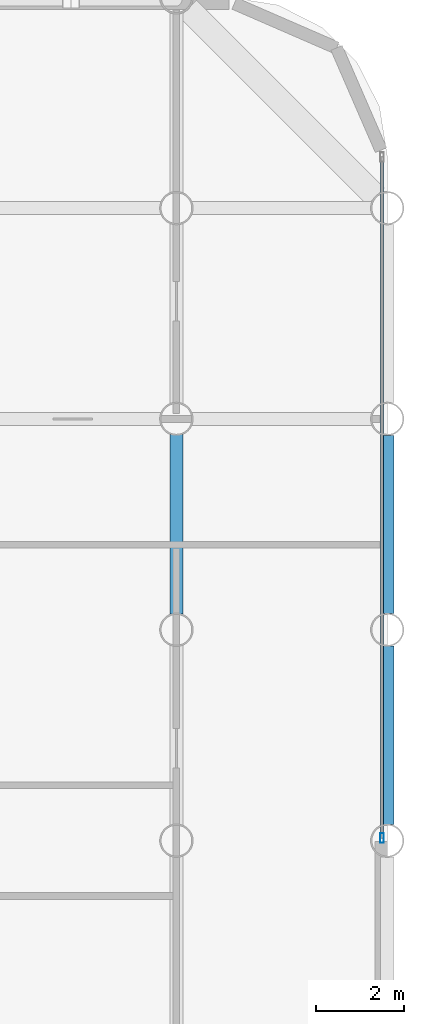
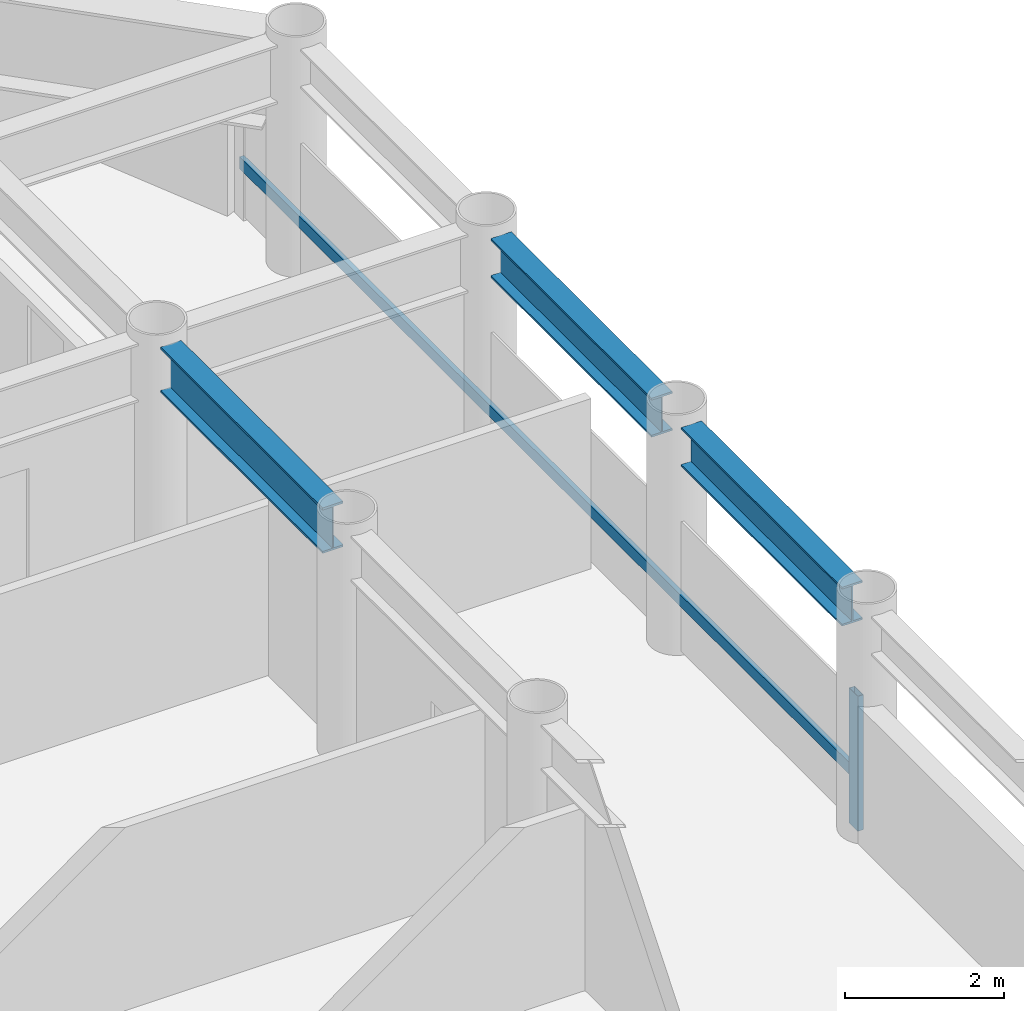
# One storey, part 8 of 19: 3 beams, 2 members, 1 element without a shape of its own.
"""IFC4 building model written with IfcOpenShell, lengths in metres."""

from ifc_helpers import new_model, si_unit, direction, frame, origin, origin_2d, place, context, subcontext, project, spatial, hollow_rectangle, i_section, extrude, material, layer, layer_set, material_profile, profile_set, type_object, element, aggregate, save


model = new_model("IFC4")

# Units and contexts
model_context = context("Model", 3, precision=1e-05, world=origin(), true_north=direction((0.0, 1.0)))
body_context = subcontext(model_context, "Body", "Model", "MODEL_VIEW")
ifc_project = project(units=[si_unit("LENGTHUNIT", "METRE"), si_unit("AREAUNIT", "SQUARE_METRE"), si_unit("VOLUMEUNIT", "CUBIC_METRE"), si_unit("PLANEANGLEUNIT", "RADIAN"), si_unit("MASSUNIT", "GRAM", prefix="KILO")], contexts=[model_context])

# Site, building, storey
site_placement = place(None, origin())
site = spatial("IfcSite", under=ifc_project, at=site_placement, CompositionType="ELEMENT")
building_placement = place(site_placement, origin())
building = spatial("IfcBuilding", under=site, at=building_placement, Name="Kallvorn Hotel Tower", CompositionType="ELEMENT")
storey_placement = place(building_placement, frame((0.0, 0.0, 63.300048828125)))
storey = spatial("IfcBuildingStorey", under=building, at=storey_placement, Name="L14", CompositionType="ELEMENT", Elevation=63.300048828125)

# Beams
ifc_material_1 = material(Name="Structural steel S355JR", Category="steel")
ifc_material_profile_1 = material_profile(ifc_material_1, i_section(OverallWidth=0.300048828125, OverallDepth=0.60009765625, WebThickness=0.015380859375, FlangeThickness=0.030029296875, at=origin_2d()), Name="HE 600 B")
ifc_profile_set_1 = profile_set([ifc_material_profile_1], Name="Structural steel S355JR")
beam_type_1 = type_object("IfcBeamType", Name="BM_HE600B", PredefinedType="SPANDREL", material=ifc_profile_set_1)
beam_1_placement = place(storey_placement, frame((33.60009765625, 0.37109375, 3.219970703125), z_axis=(0.0, 1.0, 0.0), x_axis=(-1.0, 0.0, 0.0)))
element("IfcBeam", 1, at=beam_1_placement, inside=storey, type_object=beam_type_1, Name="L15 Perimeter Spandrel 186", PredefinedType="SPANDREL", context=body_context, shape_type="SweptSolid", body=[
    extrude(i_section(OverallWidth=0.300048828125, OverallDepth=0.60009765625, WebThickness=0.015380859375, FlangeThickness=0.030029296875, at=origin_2d()), origin(), (0.0, 0.0, 1.0), 4.057861328125),
])
beam_2_placement = place(storey_placement, frame((33.60009765625, 5.1708984375, 3.219970703125), z_axis=(0.0, 1.0, 0.0), x_axis=(-1.0, 0.0, 0.0)))
element("IfcBeam", 2, at=beam_2_placement, inside=storey, type_object=beam_type_1, Name="L15 Perimeter Spandrel 187", PredefinedType="SPANDREL", context=body_context, shape_type="SweptSolid", body=[
    extrude(i_section(OverallWidth=0.300048828125, OverallDepth=0.60009765625, WebThickness=0.015380859375, FlangeThickness=0.030029296875, at=origin_2d()), origin(), (0.0, 0.0, 1.0), 4.05810546875),
])
ifc_material_2 = material(Name="Structural steel S355JR", Category="steel")
ifc_material_profile_2 = material_profile(ifc_material_2, i_section(OverallWidth=0.300048828125, OverallDepth=0.699951171875, WebThickness=0.01708984375, FlangeThickness=0.031982421875, at=origin_2d()), Name="HE 700 B")
ifc_profile_set_2 = profile_set([ifc_material_profile_2], Name="Structural steel S355JR")
beam_type_2 = type_object("IfcBeamType", Name="BM_HE700B", PredefinedType="BEAM", material=ifc_profile_set_2)
beam_3_placement = place(storey_placement, frame((28.800048828125, 5.156005859375, 3.169921875), z_axis=(0.0, 1.0, 0.0), x_axis=(-1.0, 0.0, 0.0)))
element("IfcBeam", 3, at=beam_3_placement, inside=storey, type_object=beam_type_2, Name="L15 Primary Y-Girder 148", PredefinedType="BEAM", context=body_context, shape_type="SweptSolid", body=[
    extrude(i_section(OverallWidth=0.300048828125, OverallDepth=0.699951171875, WebThickness=0.01708984375, FlangeThickness=0.031982421875, at=origin_2d()), origin(), (0.0, 0.0, 1.0), 4.087890625),
])

# Curtain wall, members
ifc_material_3 = material(Name="Thermally broken black-anodised aluminium AA 6063-T6", Category="aluminium")
ifc_layer = layer(ifc_material_3, 0.199951171875)
ifc_layer_set = layer_set([ifc_layer], Name="CW_SYS_3_HOTEL_LOW")
curtain_wall_type = type_object("IfcCurtainWallType", Name="CW_SYS_3_HOTEL_LOW", PredefinedType="USERDEFINED", material=ifc_layer_set)
curtain_wall_placement = place(storey_placement, origin())
curtain_wall = element("IfcCurtainWall", 4, at=curtain_wall_placement, inside=storey, type_object=curtain_wall_type, Name="L14 Dark-Glass Curtain Wall CW-L14-EN", ObjectType="UNITISED CURTAIN WALL", PredefinedType="USERDEFINED")
ifc_material_4 = material(Name="Thermally broken black-anodised aluminium AA 6063-T6", Category="aluminium")
ifc_material_profile_3 = material_profile(ifc_material_4, hollow_rectangle(XDim=0.080078125, YDim=0.219970703125, WallThickness=0.0048828125, at=origin_2d()), Name="MUL 220x80")
ifc_profile_set_3 = profile_set([ifc_material_profile_3], Name="Thermally broken black-anodised aluminium AA 6063-T6")
member_type_1 = type_object("IfcMemberType", Name="CW_MULLION_220x80", PredefinedType="MULLION", material=ifc_profile_set_3)
member_1_placement = place(storey_placement, frame((33.47998046875, 0.06005859375, 0.02001953125), z_axis=(0.0, 0.0, 1.0), x_axis=(1.0, 0.0, 0.0)))
member_1 = element("IfcMember", 5, at=member_1_placement, type_object=member_type_1, Name="CW-L14-EN Mullion 00", PredefinedType="MULLION", context=body_context, shape_type="SweptSolid", body=[
    extrude(hollow_rectangle(XDim=0.080078125, YDim=0.219970703125, WallThickness=0.0048828125, at=origin_2d()), origin(), (0.0, 0.0, 1.0), 2.079833984375),
])
ifc_material_5 = material(Name="Thermally broken black-anodised aluminium AA 6063-T6", Category="aluminium")
ifc_material_profile_4 = material_profile(ifc_material_5, hollow_rectangle(XDim=0.070068359375, YDim=0.179931640625, WallThickness=0.00390625, at=origin_2d()), Name="TRN 180x70")
ifc_profile_set_4 = profile_set([ifc_material_profile_4], Name="Thermally broken black-anodised aluminium AA 6063-T6")
member_type_2 = type_object("IfcMemberType", Name="CW_TRANSOM_180x70", PredefinedType="USERDEFINED", material=ifc_profile_set_4)
member_2_placement = place(storey_placement, frame((33.47998046875, 0.06005859375, 0.849853515625), z_axis=(0.0, 1.0, 0.0), x_axis=(-1.0, 0.0, 0.0)))
member_2 = element("IfcMember", 6, at=member_2_placement, type_object=member_type_2, Name="CW-L14-EN Transom 00M", ObjectType="TRANSOM", PredefinedType="USERDEFINED", context=body_context, shape_type="SweptSolid", body=[
    extrude(hollow_rectangle(XDim=0.070068359375, YDim=0.179931640625, WallThickness=0.00390625, at=origin_2d()), origin(), (0.0, 0.0, 1.0), 15.5),
])
aggregate(curtain_wall, [member_1, member_2])

save(model, "model.ifc")
